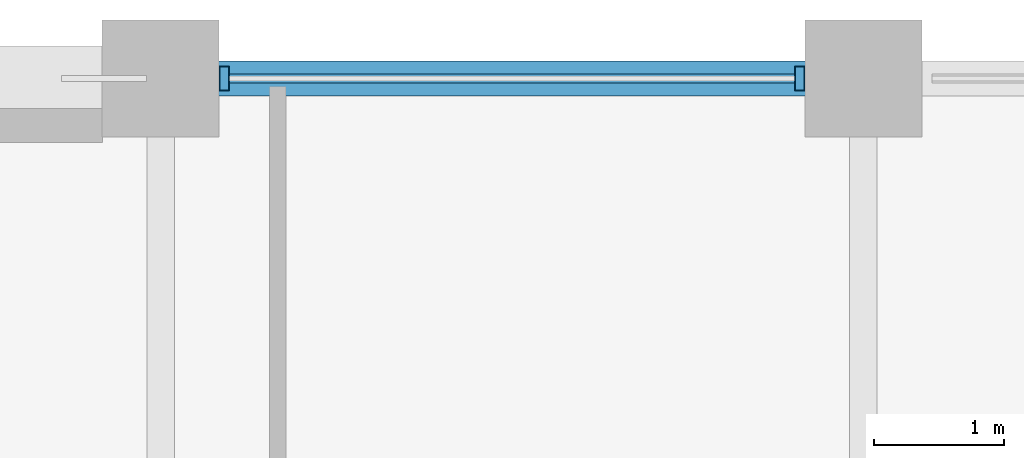
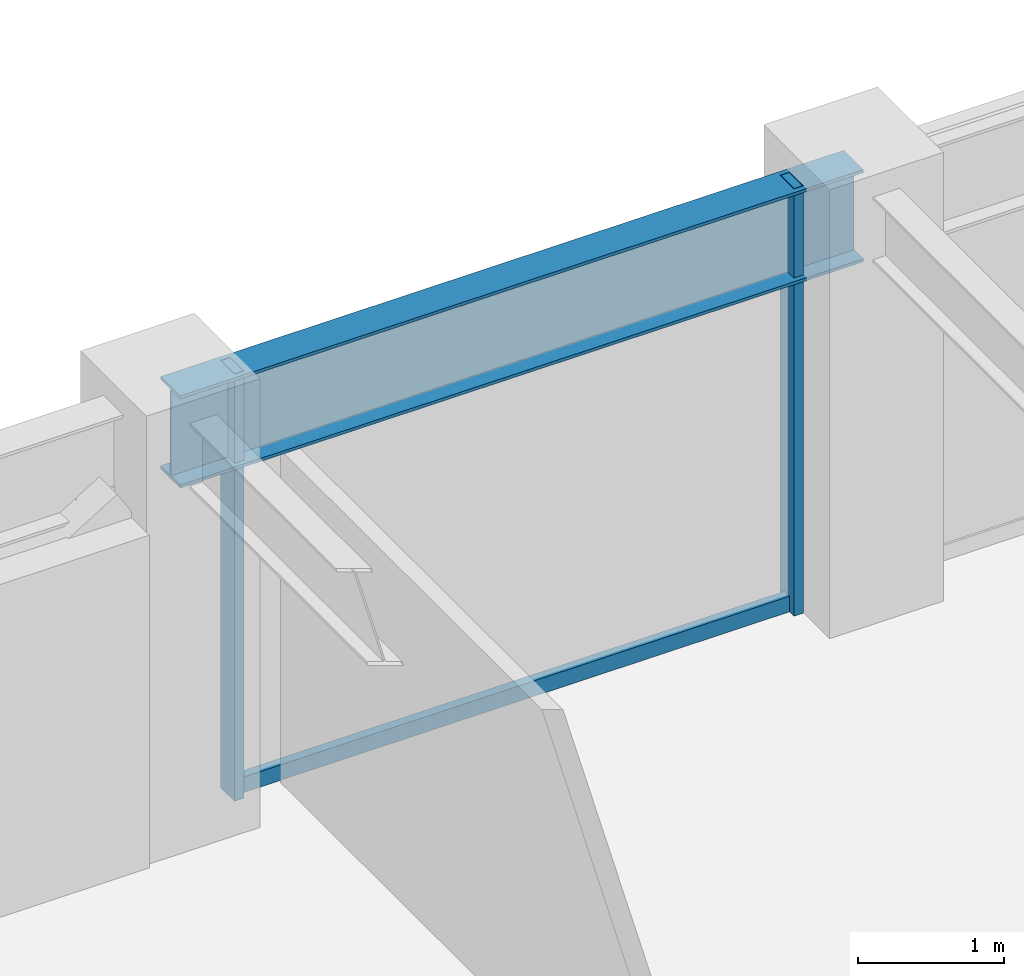
# One storey, part 22 of 32: 3 members, 1 beam, 1 element without a shape of its own.
"""IFC4 building model written with IfcOpenShell, lengths in metres."""

import ifcopenshell
import ifcopenshell.guid

model = None  # the IFC model being written
_history = None  # IfcOwnerHistory: only IFC2X3 demands one
_inside = {}  # id of a spatial element -> (the spatial element, [elements in it])
_under = {}  # id of a project, library or spatial element -> (it, [spatial elements below it])
_declared = {}  # id of a project -> (the project, [libraries it declares])
_typed = {}  # id of a type object -> (the type object, [elements of that type])
_made_of = {}  # id of a material, layer set ... -> (it, [elements and type objects made of it])


def new_model(schema):
    """Start an empty IFC model of exactly this schema.

    Asked for "IFC4X3", IfcOpenShell would pick the latest addendum, in which some entities
    have other attributes; the version numbers below select the first issue.
    IFC2X3 requires an IfcOwnerHistory on every rooted entity: one is made here for all.
    """
    global model, _history
    if schema == "IFC4X3":
        model = ifcopenshell.file(schema_version=(4, 3, 0, 0))
    else:
        model = ifcopenshell.file(schema=schema)
    _inside.clear()
    _under.clear()
    _declared.clear()
    _typed.clear()
    _made_of.clear()
    _history = None
    if model.schema == "IFC2X3":
        org = make("IfcOrganization", Name="unknown")
        user = make(
            "IfcPersonAndOrganization",
            ThePerson=make("IfcPerson", FamilyName="unknown"),
            TheOrganization=org,
        )
        app = make(
            "IfcApplication",
            ApplicationDeveloper=org,
            Version="unknown",
            ApplicationFullName="unknown",
            ApplicationIdentifier="unknown",
        )
        _history = make(
            "IfcOwnerHistory",
            OwningUser=user,
            OwningApplication=app,
            ChangeAction="ADDED",
            CreationDate=0,
        )
    return model


def make(cls, **values):
    """One entity of the class cls with the attributes given. An attribute that is None is left unset."""
    return model.create_entity(
        cls, **{name: value for name, value in values.items() if value is not None}
    )


def rooted(cls, **values):
    """An entity with a GlobalId (a new one), such as an element, a storey or a relation."""
    return make(cls, GlobalId=ifcopenshell.guid.new(), OwnerHistory=_history, **values)


def si_unit(unit_type, name, prefix=None):
    """IfcSIUnit, for example si_unit("LENGTHUNIT", "METRE", prefix="MILLI")."""
    return make("IfcSIUnit", UnitType=unit_type, Prefix=prefix, Name=name)


def assignment(units):
    """IfcUnitAssignment: the units of a project."""
    return None if units is None else make("IfcUnitAssignment", Units=units)


def point(xyz):
    """IfcCartesianPoint."""
    return None if xyz is None else make("IfcCartesianPoint", Coordinates=xyz)


def direction(xyz):
    """IfcDirection."""
    return None if xyz is None else make("IfcDirection", DirectionRatios=xyz)


def frame(location, z_axis=None, x_axis=None):
    """IfcAxis2Placement3D, a coordinate frame: its origin and axes. An axis left out is left unset."""
    return make(
        "IfcAxis2Placement3D",
        Location=point(location),
        Axis=direction(z_axis),
        RefDirection=direction(x_axis),
    )


def frame_2d(location, x_axis=None):
    """IfcAxis2Placement2D, a coordinate frame in the plane: its origin and x axis."""
    return make(
        "IfcAxis2Placement2D", Location=point(location), RefDirection=direction(x_axis)
    )


def origin():
    """The frame at (0, 0, 0) with its axes left unset."""
    return frame((0.0, 0.0, 0.0))


def origin_2d():
    """The frame at (0, 0) in the plane with its x axis left unset."""
    return frame_2d((0.0, 0.0))


def place(relative_to, where):
    """IfcLocalPlacement: puts the frame where relative to a parent placement (None: the world)."""
    return make(
        "IfcLocalPlacement", PlacementRelTo=relative_to, RelativePlacement=where
    )


def context(
    kind, dimensions, precision=None, world=None, true_north=None, identifier=None
):
    """IfcGeometricRepresentationContext, for example the 3D "Model" context."""
    return make(
        "IfcGeometricRepresentationContext",
        ContextIdentifier=identifier,
        ContextType=kind,
        CoordinateSpaceDimension=dimensions,
        Precision=precision,
        WorldCoordinateSystem=world,
        TrueNorth=true_north,
    )


def subcontext(parent, identifier, kind, view, scale=None):
    """IfcGeometricRepresentationSubContext, for example "Body" below "Model"."""
    return make(
        "IfcGeometricRepresentationSubContext",
        ContextIdentifier=identifier,
        ContextType=kind,
        ParentContext=parent,
        TargetScale=scale,
        TargetView=view,
    )


def project(units=None, contexts=None):
    """IfcProject with its units and contexts."""
    return rooted(
        "IfcProject",
        Name="project",
        RepresentationContexts=contexts,
        UnitsInContext=assignment(units),
    )


def spatial(cls, under=None, at=None, **own):
    """A site, building, storey or space (cls), placed at a placement, below another one or the project."""
    s = rooted(cls, ObjectPlacement=at, **own)
    if under is not None:
        _under.setdefault(under.id(), (under, []))[1].append(s)
    return s


def profile(cls, at=None, kind="AREA", **sizes):
    """A parametric profile (cls). Its sizes go by their IFC names, for example OverallWidth=200.0."""
    return make(cls, ProfileType=kind, Position=at, **sizes)


def hollow_rectangle(**sizes):
    """IfcRectangleHollowProfileDef."""
    return profile("IfcRectangleHollowProfileDef", **sizes)


def i_section(**sizes):
    """IfcIShapeProfileDef."""
    return profile("IfcIShapeProfileDef", **sizes)


def extrude(swept, where, along, depth):
    """IfcExtrudedAreaSolid: the profile swept, set in the frame where, extruded along a direction by depth."""
    return make(
        "IfcExtrudedAreaSolid",
        SweptArea=swept,
        Position=where,
        ExtrudedDirection=direction(along),
        Depth=depth,
    )


def shape(context_of_items, identifier, shape_type, items):
    """IfcShapeRepresentation: the items that make up one representation, for example the "Body"."""
    return make(
        "IfcShapeRepresentation",
        ContextOfItems=context_of_items,
        RepresentationIdentifier=identifier,
        RepresentationType=shape_type,
        Items=items,
    )


def material(Name=None, Category=None):
    """IfcMaterial."""
    return make("IfcMaterial", Name=Name, Category=Category)


def layer(
    of_material, thickness, ventilated=None, Name=None, Category=None, Priority=None
):
    """IfcMaterialLayer: one layer of a wall or slab, of a material (None: an air gap)."""
    return make(
        "IfcMaterialLayer",
        Material=of_material,
        LayerThickness=thickness,
        IsVentilated=ventilated,
        Name=Name,
        Category=Category,
        Priority=Priority,
    )


def layer_set(layers, Name=None):
    """IfcMaterialLayerSet."""
    return make("IfcMaterialLayerSet", MaterialLayers=layers, LayerSetName=Name)


def material_profile(
    of_material, cross_section, Name=None, Category=None, Priority=None
):
    """IfcMaterialProfile: a cross section and its material."""
    return make(
        "IfcMaterialProfile",
        Name=Name,
        Material=of_material,
        Profile=cross_section,
        Priority=Priority,
        Category=Category,
    )


def profile_set(profiles, Name=None, composite=None):
    """IfcMaterialProfileSet."""
    return make(
        "IfcMaterialProfileSet",
        Name=Name,
        MaterialProfiles=profiles,
        CompositeProfile=composite,
    )


def made_of(thing, what):
    """Note that an element or type object is made of a material, layer set ...; save() writes the relation."""
    if what is not None:
        _made_of.setdefault(what.id(), (what, []))[1].append(thing)
    return thing


def type_object(cls, material=None, **own):
    """A type object (cls), such as IfcWallType, which elements share."""
    return made_of(rooted(cls, **own), material)


def element(
    cls,
    number,
    at=None,
    inside=None,
    cuts=None,
    type_object=None,
    material=None,
    context=None,
    identifier="Body",
    shape_type=None,
    held_by="IfcProductDefinitionShape",
    body=None,
    shapes=None,
    **own,
):
    """One element of the class cls, such as IfcWall. Its Tag is "e" and its number.

    at: its placement. inside: the storey or other place that contains it. cuts: it is an
    opening in that element (IfcRelVoidsElement). A single representation is given by context,
    identifier, shape_type and body (its items); several are given by shapes. held_by: the class
    of the entity that holds the representations. save() writes the other relations.
    """
    e = rooted(cls, Tag="e%d" % number, ObjectPlacement=at, **own)
    if body is not None:
        shapes = [shape(context, identifier, shape_type, body)]
    if shapes is not None:
        e.Representation = make(held_by, Representations=shapes)
    if inside is not None:
        _inside.setdefault(inside.id(), (inside, []))[1].append(e)
    if cuts is not None:
        rooted(
            "IfcRelVoidsElement", RelatingBuildingElement=cuts, RelatedOpeningElement=e
        )
    if type_object is not None:
        _typed.setdefault(type_object.id(), (type_object, []))[1].append(e)
    return made_of(e, material)


def aggregate(whole, parts):
    """IfcRelAggregates: a whole, such as a stair, and the parts it consists of."""
    return rooted("IfcRelAggregates", RelatingObject=whole, RelatedObjects=parts)


def save(model, path):
    """Write the relations noted so far, then the file.

    IfcRelAggregates (storeys below a building ...), IfcRelContainedInSpatialStructure (elements
    in a storey), IfcRelDefinesByType, IfcRelAssociatesMaterial and IfcRelDeclares: one each for
    every whole, place, type object, material and project.
    """
    for whole, parts in _under.values():
        aggregate(whole, parts)
    for where, things in _inside.values():
        rooted(
            "IfcRelContainedInSpatialStructure",
            RelatedElements=things,
            RelatingStructure=where,
        )
    for kind, things in _typed.values():
        rooted("IfcRelDefinesByType", RelatedObjects=things, RelatingType=kind)
    for what, things in _made_of.values():
        rooted("IfcRelAssociatesMaterial", RelatedObjects=things, RelatingMaterial=what)
    for by, libraries in _declared.values():
        rooted("IfcRelDeclares", RelatingContext=by, RelatedDefinitions=libraries)
    model.write(path)


model = new_model("IFC4")

# Units and contexts
model_context = context("Model", 3, precision=1e-05, world=origin(), true_north=direction((0.0, 1.0)))
body_context = subcontext(model_context, "Body", "Model", "MODEL_VIEW")
ifc_project = project(units=[si_unit("LENGTHUNIT", "METRE"), si_unit("AREAUNIT", "SQUARE_METRE"), si_unit("VOLUMEUNIT", "CUBIC_METRE"), si_unit("PLANEANGLEUNIT", "RADIAN"), si_unit("MASSUNIT", "GRAM", prefix="KILO")], contexts=[model_context])

# Site, building, storey
site_placement = place(None, origin())
site = spatial("IfcSite", under=ifc_project, at=site_placement, CompositionType="ELEMENT")
building_placement = place(site_placement, origin())
building = spatial("IfcBuilding", under=site, at=building_placement, Name="Surkhivell Harbour Commons", CompositionType="ELEMENT")
storey_placement = place(building_placement, frame((0.0, 0.0, 189.75)))
storey = spatial("IfcBuildingStorey", under=building, at=storey_placement, Name="L49", CompositionType="ELEMENT", Elevation=189.75)

# Beam
ifc_material_1 = material(Name="Steel S355", Category="steel")
ifc_material_profile_1 = material_profile(ifc_material_1, i_section(OverallWidth=0.26806640625, OverallDepth=0.77001953125, WebThickness=0.015625, FlangeThickness=0.025390625, at=origin_2d()), Name="UB762x267x197")
ifc_profile_set_1 = profile_set([ifc_material_profile_1], Name="Steel S355")
beam_type = type_object("IfcBeamType", Name="BM-SPN-762", PredefinedType="SPANDREL", material=ifc_profile_set_1)
beam_placement = place(storey_placement, frame((5.39990234375, 25.89990234375, 3.18505859375), z_axis=(1.0, 0.0, 0.0), x_axis=(0.0, 1.0, 0.0)))
element("IfcBeam", 1, at=beam_placement, inside=storey, type_object=beam_type, Name="L49 Tube Spandrel (5.4,25.9)", PredefinedType="SPANDREL", context=body_context, shape_type="SweptSolid", body=[
    extrude(i_section(OverallWidth=0.26806640625, OverallDepth=0.77001953125, WebThickness=0.015625, FlangeThickness=0.025390625, at=origin_2d()), origin(), (0.0, 0.0, 1.0), 5.400146484375),
])

# Curtain wall, members
ifc_material_2 = material(Name="Anodised pale-metal aluminium and insulated glazing", Category="aluminium")
ifc_layer = layer(ifc_material_2, 0.18994140625)
ifc_layer_set = layer_set([ifc_layer], Name="Anodised pale-metal aluminium and insulated glazing")
curtain_wall_type = type_object("IfcCurtainWallType", Name="CW-SYS-Z3", PredefinedType="NOTDEFINED", material=ifc_layer_set)
curtain_wall_placement = place(storey_placement, origin())
curtain_wall = element("IfcCurtainWall", 2, at=curtain_wall_placement, inside=storey, type_object=curtain_wall_type, Name="L49 Curtain Wall CW-L49-E07S1", PredefinedType="NOTDEFINED")
ifc_material_3 = material(Name="Anodised pale-metal aluminium alloy 6063-T6", Category="aluminium")
ifc_material_profile_2 = material_profile(ifc_material_3, hollow_rectangle(XDim=0.074951171875, YDim=0.18994140625, WallThickness=0.00390625, at=origin_2d()), Name="ALU-MULL-75x190")
ifc_profile_set_2 = profile_set([ifc_material_profile_2], Name="Anodised pale-metal aluminium alloy 6063-T6")
member_type_1 = type_object("IfcMemberType", Name="CWM-190", PredefinedType="MULLION", material=ifc_profile_set_2)
member_1_placement = place(storey_placement, frame((10.310546875, 25.89990234375, 0.0), z_axis=(0.0, 0.0, 1.0), x_axis=(-1.0, 0.0, 0.0)))
member_1 = element("IfcMember", 3, at=member_1_placement, type_object=member_type_1, Name="CW-Z3 mullion 2", PredefinedType="MULLION", context=body_context, shape_type="SweptSolid", body=[
    extrude(hollow_rectangle(XDim=0.074951171875, YDim=0.18994140625, WallThickness=0.00390625, at=origin_2d()), origin(), (0.0, 0.0, 1.0), 3.570068359375),
])
member_2_placement = place(storey_placement, frame((5.889404296875, 25.89990234375, 0.0), z_axis=(0.0, 0.0, 1.0), x_axis=(-1.0, 0.0, 0.0)))
member_2 = element("IfcMember", 4, at=member_2_placement, type_object=member_type_1, Name="CW-Z3 mullion 3", PredefinedType="MULLION", context=body_context, shape_type="SweptSolid", body=[
    extrude(hollow_rectangle(XDim=0.074951171875, YDim=0.18994140625, WallThickness=0.00390625, at=origin_2d()), origin(), (0.0, 0.0, 1.0), 3.570068359375),
])
ifc_material_4 = material(Name="Champagne anodised aluminium alloy 6063-T6", Category="aluminium")
ifc_material_profile_3 = material_profile(ifc_material_4, hollow_rectangle(XDim=0.070068359375, YDim=0.1298828125, WallThickness=0.00341796875, at=origin_2d()), Name="ALU-TRAN-70x130")
ifc_profile_set_3 = profile_set([ifc_material_profile_3], Name="Champagne anodised aluminium alloy 6063-T6")
member_type_2 = type_object("IfcMemberType", Name="CWT-130", PredefinedType="USERDEFINED", material=ifc_profile_set_3)
member_3_placement = place(storey_placement, frame((10.27294921875, 25.89990234375, 0.06494140625), z_axis=(-1.0, 0.0, 0.0), x_axis=(0.0, -1.0, 0.0)))
member_3 = element("IfcMember", 5, at=member_3_placement, type_object=member_type_2, Name="CW-Z3 transom 2.1", ObjectType="TRANSOM", PredefinedType="USERDEFINED", context=body_context, shape_type="SweptSolid", body=[
    extrude(hollow_rectangle(XDim=0.070068359375, YDim=0.1298828125, WallThickness=0.00341796875, at=origin_2d()), origin(), (0.0, 0.0, 1.0), 4.345947265625),
])
aggregate(curtain_wall, [member_1, member_2, member_3])

save(model, "model.ifc")
